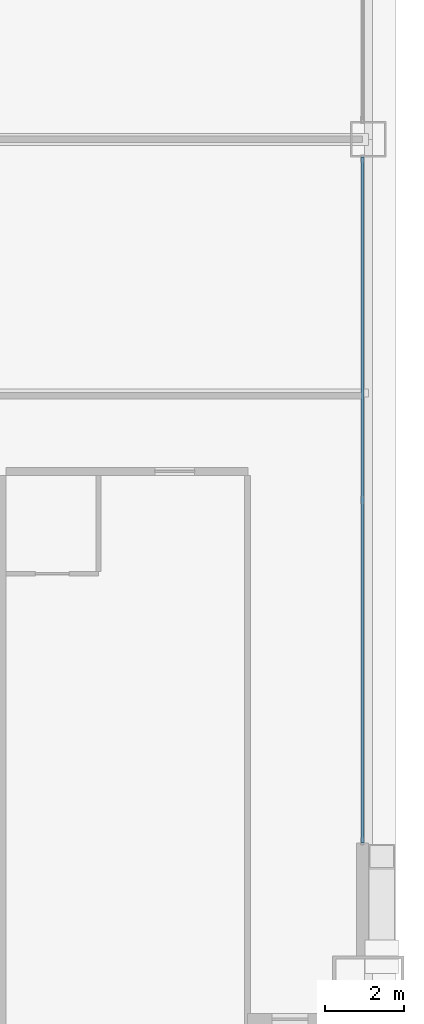
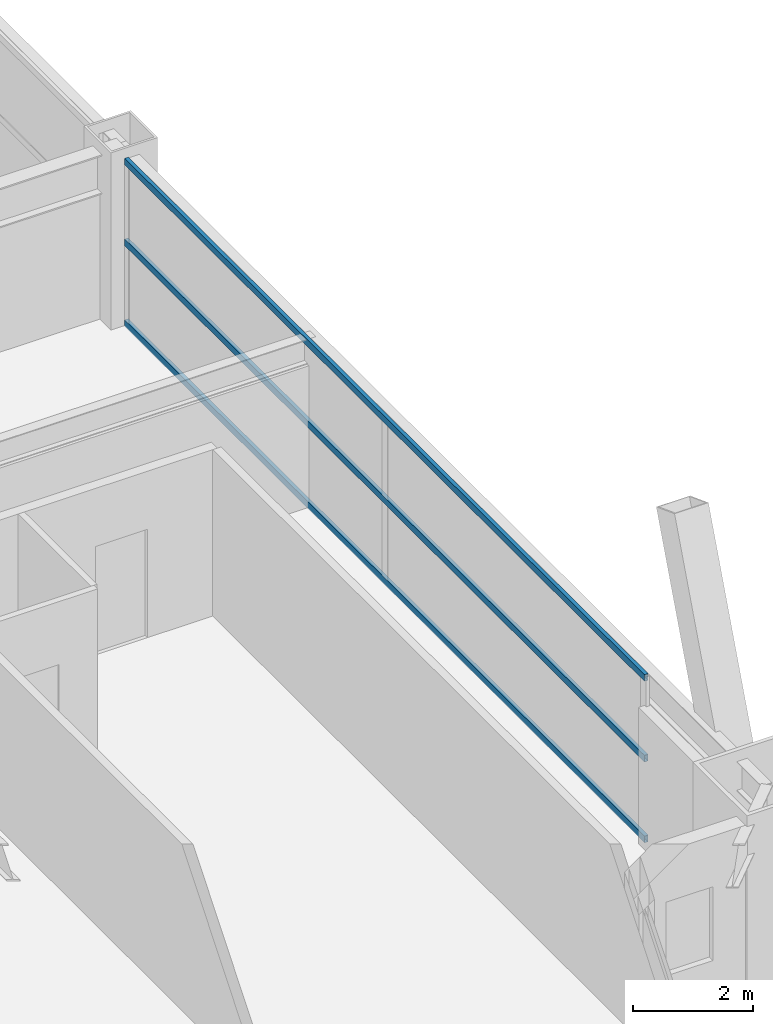
# One storey, part 20 of 43: 3 members, 1 element without a shape of its own.
"""IFC4 building model written with IfcOpenShell, lengths in metres."""

from ifc_helpers import new_model, si_unit, direction, frame, origin, origin_2d, place, context, subcontext, project, spatial, hollow_rectangle, extrude, source, transform, mapped, material, layer, layer_set, material_profile, profile_set, type_object, element, aggregate, save


model = new_model("IFC4")

# Units and contexts
model_context = context("Model", 3, precision=1e-05, world=origin(), true_north=direction((0.0, 1.0)))
body_context = subcontext(model_context, "Body", "Model", "MODEL_VIEW")
ifc_project = project(units=[si_unit("LENGTHUNIT", "METRE"), si_unit("AREAUNIT", "SQUARE_METRE"), si_unit("VOLUMEUNIT", "CUBIC_METRE"), si_unit("PLANEANGLEUNIT", "RADIAN"), si_unit("MASSUNIT", "GRAM", prefix="KILO"), si_unit("THERMODYNAMICTEMPERATUREUNIT", "KELVIN"), si_unit("POWERUNIT", "WATT")], contexts=[model_context])

# Site, building, storey
site_placement = place(None, origin())
site = spatial("IfcSite", under=ifc_project, at=site_placement, CompositionType="ELEMENT")
building_placement = place(site_placement, origin())
building = spatial("IfcBuilding", under=site, at=building_placement, Name="Yuzanri Waterfront Tower", CompositionType="ELEMENT")
storey_placement = place(building_placement, frame((0.0, 0.0, 67.60009765625)))
storey = spatial("IfcBuildingStorey", under=building, at=storey_placement, Name="L17", CompositionType="ELEMENT", Elevation=67.60009765625)

# Curtain wall, members
ifc_material_1 = material(Name="Anodized Architectural Bronze", Category="metal")
ifc_layer = layer(ifc_material_1, 0.159912109375)
ifc_layer_set = layer_set([ifc_layer], Name="Anodized Architectural Bronze")
curtain_wall_type = type_object("IfcCurtainWallType", Name="Anodized Bronze Hotel Lower-Tier Recessed Unitized Curtain Wall 8100", PredefinedType="NOTDEFINED", material=ifc_layer_set)
curtain_wall_placement = place(storey_placement, origin())
curtain_wall = element("IfcCurtainWall", 1, at=curtain_wall_placement, inside=storey, type_object=curtain_wall_type, Name="L17 Curtain Wall CW-L17-EL", PredefinedType="NOTDEFINED")
ifc_material_2 = material(Name="Anodized Architectural Bronze", Category="metal")
ifc_material_profile = material_profile(ifc_material_2, hollow_rectangle(XDim=0.070068359375, YDim=0.135009765625, WallThickness=0.00341796875, at=origin_2d()), Name="CWT 70x135")
ifc_profile_set = profile_set([ifc_material_profile], Name="Anodized Architectural Bronze")
member_type = type_object("IfcMemberType", Name="Anodized Bronze Standard Curtain-Wall Transom 70x135", PredefinedType="USERDEFINED", material=ifc_profile_set)
shared_shape = source(origin(), body_context, "Body", "SweptSolid", [
    extrude(hollow_rectangle(XDim=0.070068359375, YDim=0.135009765625, WallThickness=0.00341796875, at=origin_2d()), origin(), (0.0, 0.0, 1.0), 17.300048828125),
])
member_1_placement = place(storey_placement, frame((61.949951171875, 8.050048828125, 0.0498046875), z_axis=(0.0, 1.0, 0.0), x_axis=(-1.0, 0.0, 0.0)))
member_1 = element("IfcMember", 2, at=member_1_placement, type_object=member_type, Name="CW-L17-EL Transom 1", ObjectType="TRANSOM", PredefinedType="USERDEFINED", context=body_context, shape_type="MappedRepresentation", body=[
    mapped(shared_shape, transform((0.0, 0.0, 0.0), scale=1.0)),
])
member_2_placement = place(storey_placement, frame((61.949951171875, 8.050048828125, 1.68994140625), z_axis=(0.0, 1.0, 0.0), x_axis=(-1.0, 0.0, 0.0)))
member_2 = element("IfcMember", 3, at=member_2_placement, type_object=member_type, Name="CW-L17-EL Transom 2", ObjectType="TRANSOM", PredefinedType="USERDEFINED", context=body_context, shape_type="MappedRepresentation", body=[
    mapped(shared_shape, transform((0.0, 0.0, 0.0), scale=1.0)),
])
member_3_placement = place(storey_placement, frame((61.949951171875, 8.050048828125, 3.329833984375), z_axis=(0.0, 1.0, 0.0), x_axis=(-1.0, 0.0, 0.0)))
member_3 = element("IfcMember", 4, at=member_3_placement, type_object=member_type, Name="CW-L17-EL Transom 3", ObjectType="TRANSOM", PredefinedType="USERDEFINED", context=body_context, shape_type="MappedRepresentation", body=[
    mapped(shared_shape, transform((0.0, 0.0, 0.0), scale=1.0)),
])
aggregate(curtain_wall, [member_1, member_2, member_3])

save(model, "model.ifc")
